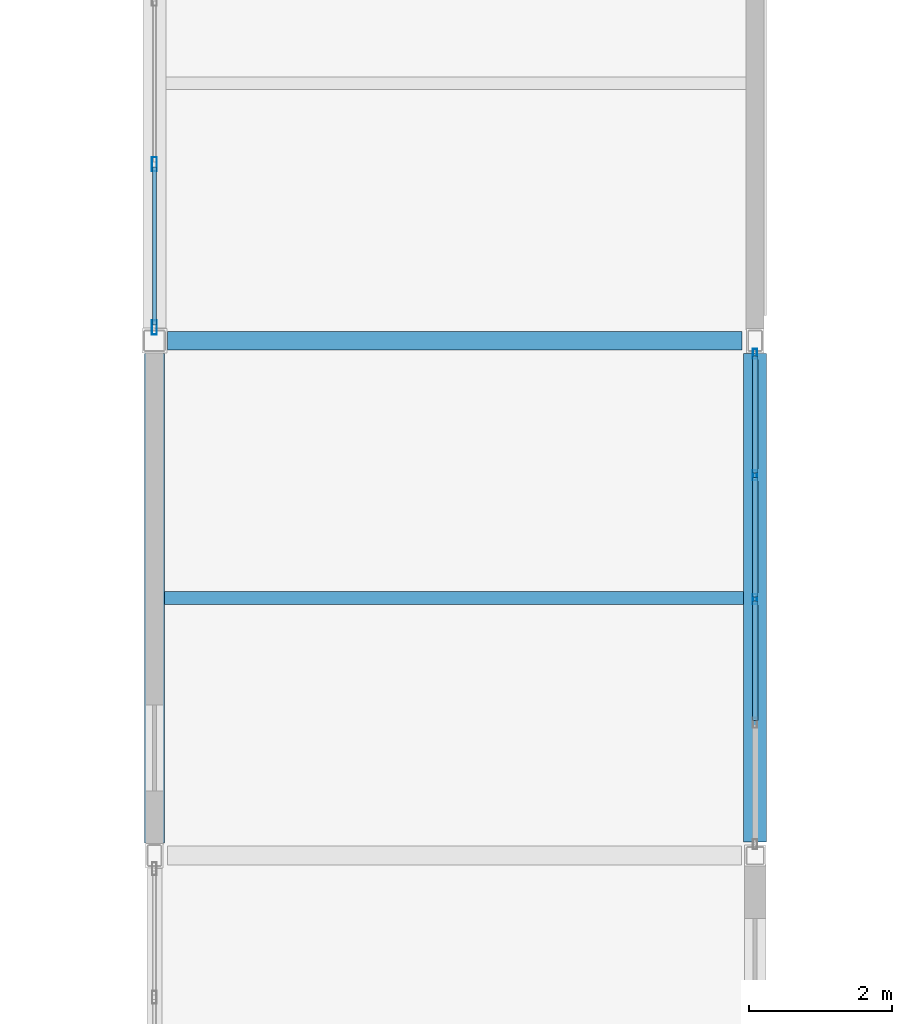
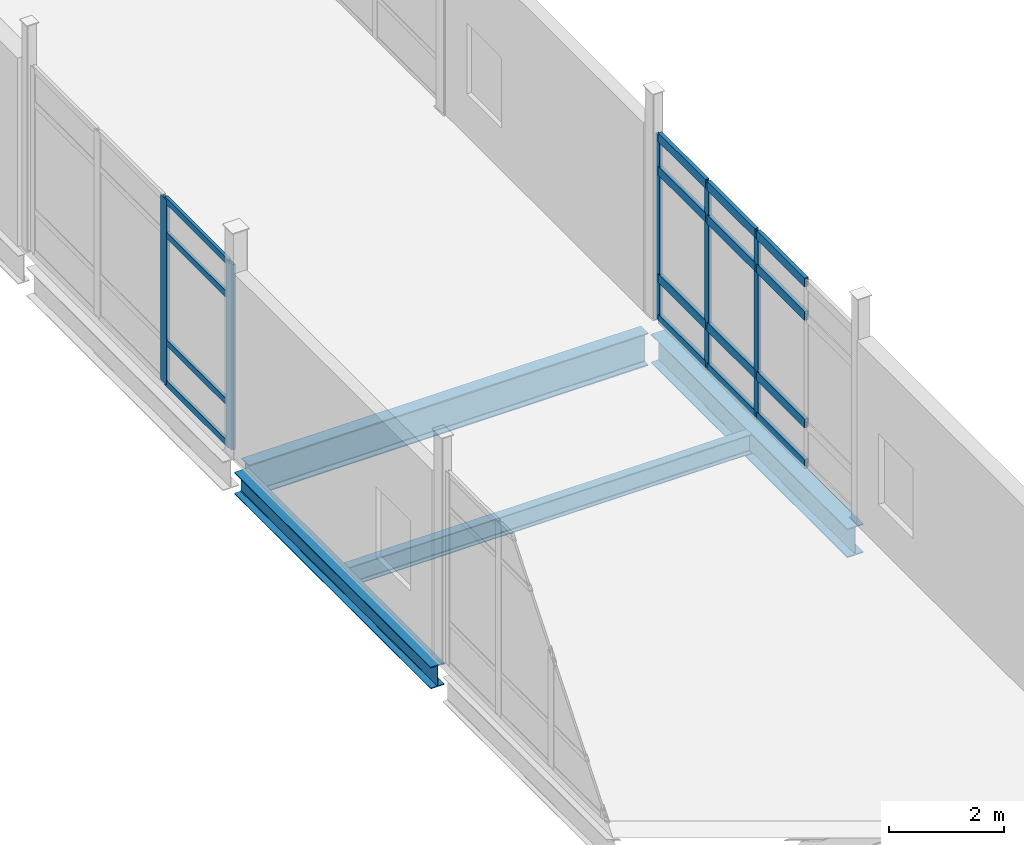
# One storey, part 53 of 153: 21 members, 4 beams, 2 elements without a shape of their own.
"""IFC4 building model written with IfcOpenShell, lengths in metres."""

from ifc_helpers import new_model, si_unit, direction, frame, origin, origin_2d, place, context, subcontext, project, spatial, hollow_rectangle, i_section, extrude, material, layer, layer_set, material_profile, profile_set, type_object, element, aggregate, save


model = new_model("IFC4")

# Units and contexts
model_context = context("Model", 3, precision=1e-05, world=origin(), true_north=direction((0.0, 1.0)))
body_context = subcontext(model_context, "Body", "Model", "MODEL_VIEW")
ifc_project = project(units=[si_unit("LENGTHUNIT", "METRE"), si_unit("AREAUNIT", "SQUARE_METRE"), si_unit("VOLUMEUNIT", "CUBIC_METRE"), si_unit("PLANEANGLEUNIT", "RADIAN"), si_unit("MASSUNIT", "GRAM", prefix="KILO")], contexts=[model_context])

# Site, building, storey
site_placement = place(None, origin())
site = spatial("IfcSite", under=ifc_project, at=site_placement, CompositionType="ELEMENT")
building_placement = place(site_placement, origin())
building = spatial("IfcBuilding", under=site, at=building_placement, Name="Calvrana Isthmian Art Gallery", CompositionType="ELEMENT")
storey_placement = place(building_placement, frame((0.0, 0.0, 10.199951171875)))
storey = spatial("IfcBuildingStorey", under=building, at=storey_placement, Name="L02", CompositionType="ELEMENT", Elevation=10.199951171875)

# Beams
ifc_material_1 = material(Name="Steel ASTM A992 Gr 50", Category="steel")
ifc_material_profile_1 = material_profile(ifc_material_1, i_section(OverallWidth=0.279052734375, OverallDepth=0.4619140625, WebThickness=0.0107421875, FlangeThickness=0.017333984375, FilletRadius=0.02001953125, at=origin_2d()), Name="W18X76")
ifc_profile_set_1 = profile_set([ifc_material_profile_1], Name="Steel ASTM A992 Gr 50")
beam_type_1 = type_object("IfcBeamType", Name="BM-G-W18X76", PredefinedType="BEAM", material=ifc_profile_set_1)
beam_1_placement = place(storey_placement, frame((55.199951171875, 69.778076171875, -0.495849609375), z_axis=(0.0, 1.0, 0.0), x_axis=(-1.0, 0.0, 0.0)))
element("IfcBeam", 1, at=beam_1_placement, inside=storey, type_object=beam_type_1, Name="Girder Y L02 08/J-K", PredefinedType="BEAM", context=body_context, shape_type="SweptSolid", body=[
    extrude(i_section(OverallWidth=0.279052734375, OverallDepth=0.4619140625, WebThickness=0.0107421875, FlangeThickness=0.017333984375, FilletRadius=0.02001953125, at=origin_2d()), origin(), (0.0, 0.0, 1.0), 6.84033203125),
])
ifc_material_profile_2 = material_profile(ifc_material_1, i_section(OverallWidth=0.324951171875, OverallDepth=0.612060546875, WebThickness=0.0126953125, FlangeThickness=0.01904296875, FilletRadius=0.02197265625, at=origin_2d()), Name="W24X104")
ifc_profile_set_2 = profile_set([ifc_material_profile_2], Name="Steel ASTM A992 Gr 50")
beam_type_2 = type_object("IfcBeamType", Name="BM-G-W24X104", PredefinedType="BEAM", material=ifc_profile_set_2)
beam_2_placement = place(storey_placement, frame((63.60009765625, 69.78662109375, -0.571044921875), z_axis=(0.0, 1.0, 0.0), x_axis=(-1.0, 0.0, 0.0)))
element("IfcBeam", 2, at=beam_2_placement, inside=storey, type_object=beam_type_2, Name="Girder Y L02 09/J-K", PredefinedType="BEAM", context=body_context, shape_type="SweptSolid", body=[
    extrude(i_section(OverallWidth=0.324951171875, OverallDepth=0.612060546875, WebThickness=0.0126953125, FlangeThickness=0.01904296875, FilletRadius=0.02197265625, at=origin_2d()), origin(), (0.0, 0.0, 1.0), 6.83544921875),
])
ifc_material_profile_3 = material_profile(ifc_material_1, i_section(OverallWidth=0.257080078125, OverallDepth=0.693115234375, WebThickness=0.014404296875, FlangeThickness=0.023681640625, FilletRadius=0.02392578125, at=origin_2d()), Name="W27X114")
ifc_profile_set_3 = profile_set([ifc_material_profile_3], Name="Steel ASTM A992 Gr 50")
beam_type_3 = type_object("IfcBeamType", Name="BM-G-W27X114", PredefinedType="BEAM", material=ifc_profile_set_3)
beam_3_placement = place(storey_placement, frame((55.385498046875, 76.800048828125, -0.611572265625), z_axis=(1.0, 0.0, 0.0), x_axis=(0.0, 1.0, 0.0)))
element("IfcBeam", 3, at=beam_3_placement, inside=storey, type_object=beam_type_3, Name="Girder X L02 08-09/K", PredefinedType="BEAM", context=body_context, shape_type="SweptSolid", body=[
    extrude(i_section(OverallWidth=0.257080078125, OverallDepth=0.693115234375, WebThickness=0.014404296875, FlangeThickness=0.023681640625, FilletRadius=0.02392578125, at=origin_2d()), origin(), (0.0, 0.0, 1.0), 8.030517578125),
])
ifc_material_profile_4 = material_profile(ifc_material_1, i_section(OverallWidth=0.179931640625, OverallDepth=0.4140625, WebThickness=0.009765625, FlangeThickness=0.01611328125, FilletRadius=0.01806640625, at=origin_2d()), Name="W16X50")
ifc_profile_set_4 = profile_set([ifc_material_profile_4], Name="Steel ASTM A992 Gr 50")
beam_type_4 = type_object("IfcBeamType", Name="BM-J-W16X50", PredefinedType="JOIST", material=ifc_profile_set_4)
beam_4_placement = place(storey_placement, frame((55.339599609375, 73.199951171875, -0.471923828125), z_axis=(1.0, 0.0, 0.0), x_axis=(0.0, 1.0, 0.0)))
element("IfcBeam", 4, at=beam_4_placement, inside=storey, type_object=beam_type_4, Name="Composite joist L02 bay 07-09", PredefinedType="JOIST", context=body_context, shape_type="SweptSolid", body=[
    extrude(i_section(OverallWidth=0.179931640625, OverallDepth=0.4140625, WebThickness=0.009765625, FlangeThickness=0.01611328125, FilletRadius=0.01806640625, at=origin_2d()), origin(), (0.0, 0.0, 1.0), 8.097900390625),
])

# Curtain wall, members
ifc_material_2 = material(Name="Anodized bronze aluminium 6063-T6", Category="aluminium")
ifc_layer = layer(ifc_material_2, 0.179931640625, Name="Anodized bronze aluminium 6063-T6")
ifc_layer_set = layer_set([ifc_layer], Name="Anodized bronze aluminium 6063-T6")
curtain_wall_type = type_object("IfcCurtainWallType", Name="CW-UNIT-069X39", PredefinedType="USERDEFINED", material=ifc_layer_set)
curtain_wall_1_placement = place(storey_placement, origin())
curtain_wall_1 = element("IfcCurtainWall", 5, at=curtain_wall_1_placement, inside=storey, type_object=curtain_wall_type, Name="Curtain wall CW-174", ObjectType="UNITISED CURTAIN WALL", PredefinedType="USERDEFINED")
ifc_material_profile_5 = material_profile(ifc_material_2, hollow_rectangle(XDim=0.06005859375, YDim=0.139892578125, WallThickness=0.00390625, at=origin_2d()), Name="CWM60X140")
ifc_profile_set_5 = profile_set([ifc_material_profile_5], Name="Anodized bronze aluminium 6063-T6")
member_type_1 = type_object("IfcMemberType", Name="CWM-CWM60X140", PredefinedType="MULLION", material=ifc_profile_set_5)
member_1_placement = place(storey_placement, frame((63.60009765625, 76.61767578125, 0.0), z_axis=(0.0, 0.0, 1.0), x_axis=(1.0, 0.0, 0.0)))
member_1 = element("IfcMember", 6, at=member_1_placement, type_object=member_type_1, Name="CW-174 mullion 1", PredefinedType="MULLION", context=body_context, shape_type="SweptSolid", body=[
    extrude(hollow_rectangle(XDim=0.06005859375, YDim=0.139892578125, WallThickness=0.00390625, at=origin_2d()), origin(), (0.0, 0.0, 1.0), 3.93310546875),
])
member_2_placement = place(storey_placement, frame((63.60009765625, 74.91748046875, 0.0), z_axis=(0.0, 0.0, 1.0), x_axis=(1.0, 0.0, 0.0)))
member_2 = element("IfcMember", 7, at=member_2_placement, type_object=member_type_1, Name="CW-174 mullion 2", PredefinedType="MULLION", context=body_context, shape_type="SweptSolid", body=[
    extrude(hollow_rectangle(XDim=0.06005859375, YDim=0.139892578125, WallThickness=0.00390625, at=origin_2d()), origin(), (0.0, 0.0, 1.0), 3.93310546875),
])
member_3_placement = place(storey_placement, frame((63.60009765625, 73.187255859375, 0.0), z_axis=(0.0, 0.0, 1.0), x_axis=(1.0, 0.0, 0.0)))
member_3 = element("IfcMember", 8, at=member_3_placement, type_object=member_type_1, Name="CW-174 mullion 3", PredefinedType="MULLION", context=body_context, shape_type="SweptSolid", body=[
    extrude(hollow_rectangle(XDim=0.06005859375, YDim=0.139892578125, WallThickness=0.00390625, at=origin_2d()), origin(), (0.0, 0.0, 1.0), 3.93310546875),
])

curtain_wall_2_placement = place(storey_placement, origin())
curtain_wall_2 = element("IfcCurtainWall", 9, at=curtain_wall_2_placement, inside=storey, type_object=curtain_wall_type, Name="Curtain wall CW-171", ObjectType="UNITISED CURTAIN WALL", PredefinedType="USERDEFINED")
ifc_material_profile_6 = material_profile(ifc_material_2, hollow_rectangle(XDim=0.070068359375, YDim=0.199951171875, WallThickness=0.0048828125, at=origin_2d()), Name="CWM70X200")
ifc_profile_set_6 = profile_set([ifc_material_profile_6], Name="Anodized bronze aluminium 6063-T6")
member_type_2 = type_object("IfcMemberType", Name="CWM-CWM70X200", PredefinedType="MULLION", material=ifc_profile_set_6)
member_4_placement = place(storey_placement, frame((55.199951171875, 76.9873046875, 0.0), z_axis=(0.0, 0.0, 1.0), x_axis=(-1.0, 0.0, 0.0)))
member_4 = element("IfcMember", 10, at=member_4_placement, type_object=member_type_2, Name="CW-171 mullion 1", PredefinedType="MULLION", context=body_context, shape_type="SweptSolid", body=[
    extrude(hollow_rectangle(XDim=0.070068359375, YDim=0.199951171875, WallThickness=0.0048828125, at=origin_2d()), origin(), (0.0, 0.0, 1.0), 3.93310546875),
])
member_5_placement = place(storey_placement, frame((55.199951171875, 79.267822265625, 0.0), z_axis=(0.0, 0.0, 1.0), x_axis=(-1.0, 0.0, 0.0)))
member_5 = element("IfcMember", 11, at=member_5_placement, type_object=member_type_2, Name="CW-171 mullion 2", PredefinedType="MULLION", context=body_context, shape_type="SweptSolid", body=[
    extrude(hollow_rectangle(XDim=0.070068359375, YDim=0.199951171875, WallThickness=0.0048828125, at=origin_2d()), origin(), (0.0, 0.0, 1.0), 3.93310546875),
])
ifc_material_profile_7 = material_profile(ifc_material_2, hollow_rectangle(XDim=0.06005859375, YDim=0.1298828125, WallThickness=0.00390625, at=origin_2d()), Name="CWT60X130")
ifc_profile_set_7 = profile_set([ifc_material_profile_7], Name="Anodized bronze aluminium 6063-T6")
member_type_3 = type_object("IfcMemberType", Name="CWT-CWT60X130", PredefinedType="USERDEFINED", material=ifc_profile_set_7)
member_6_placement = place(storey_placement, frame((55.199951171875, 77.0224609375, 0.030029296875), z_axis=(0.0, 1.0, 0.0), x_axis=(-1.0, 0.0, 0.0)))
member_6 = element("IfcMember", 12, at=member_6_placement, type_object=member_type_3, Name="CW-171 transom 1.1", ObjectType="TRANSOM", PredefinedType="USERDEFINED", context=body_context, shape_type="SweptSolid", body=[
    extrude(hollow_rectangle(XDim=0.06005859375, YDim=0.1298828125, WallThickness=0.00390625, at=origin_2d()), origin(), (0.0, 0.0, 1.0), 2.210205078125),
])
member_7_placement = place(storey_placement, frame((55.199951171875, 77.0224609375, 0.900146484375), z_axis=(0.0, 1.0, 0.0), x_axis=(-1.0, 0.0, 0.0)))
member_7 = element("IfcMember", 13, at=member_7_placement, type_object=member_type_3, Name="CW-171 transom 1.2", ObjectType="TRANSOM", PredefinedType="USERDEFINED", context=body_context, shape_type="SweptSolid", body=[
    extrude(hollow_rectangle(XDim=0.06005859375, YDim=0.1298828125, WallThickness=0.00390625, at=origin_2d()), origin(), (0.0, 0.0, 1.0), 2.210205078125),
])
member_8_placement = place(storey_placement, frame((55.199951171875, 77.0224609375, 3.18310546875), z_axis=(0.0, 1.0, 0.0), x_axis=(-1.0, 0.0, 0.0)))
member_8 = element("IfcMember", 14, at=member_8_placement, type_object=member_type_3, Name="CW-171 transom 1.3", ObjectType="TRANSOM", PredefinedType="USERDEFINED", context=body_context, shape_type="SweptSolid", body=[
    extrude(hollow_rectangle(XDim=0.06005859375, YDim=0.1298828125, WallThickness=0.00390625, at=origin_2d()), origin(), (0.0, 0.0, 1.0), 2.210205078125),
])
member_9_placement = place(storey_placement, frame((55.199951171875, 77.0224609375, 3.903076171875), z_axis=(0.0, 1.0, 0.0), x_axis=(-1.0, 0.0, 0.0)))
member_9 = element("IfcMember", 15, at=member_9_placement, type_object=member_type_3, Name="CW-171 transom 1.4", ObjectType="TRANSOM", PredefinedType="USERDEFINED", context=body_context, shape_type="SweptSolid", body=[
    extrude(hollow_rectangle(XDim=0.06005859375, YDim=0.1298828125, WallThickness=0.00390625, at=origin_2d()), origin(), (0.0, 0.0, 1.0), 2.210205078125),
])
aggregate(curtain_wall_2, [member_4, member_5, member_6, member_7, member_8, member_9])

# Member
ifc_material_profile_8 = material_profile(ifc_material_2, hollow_rectangle(XDim=0.074951171875, YDim=0.18994140625, WallThickness=0.00439453125, at=origin_2d()), Name="CWT75X190")
ifc_profile_set_8 = profile_set([ifc_material_profile_8], Name="Anodized bronze aluminium 6063-T6")
member_type_4 = type_object("IfcMemberType", Name="CWT-CWT75X190", PredefinedType="USERDEFINED", material=ifc_profile_set_8)
member_10_placement = place(storey_placement, frame((63.60009765625, 76.587646484375, 0.03759765625), z_axis=(0.0, -1.0, 0.0), x_axis=(1.0, 0.0, 0.0)))
member_10 = element("IfcMember", 16, at=member_10_placement, type_object=member_type_4, Name="CW-174 transom 1.1", ObjectType="TRANSOM", PredefinedType="USERDEFINED", context=body_context, shape_type="SweptSolid", body=[
    extrude(hollow_rectangle(XDim=0.074951171875, YDim=0.18994140625, WallThickness=0.00439453125, at=origin_2d()), origin(), (0.0, 0.0, 1.0), 1.64013671875),
])

member_11_placement = place(storey_placement, frame((63.60009765625, 76.587646484375, 0.900146484375), z_axis=(0.0, -1.0, 0.0), x_axis=(1.0, 0.0, 0.0)))
member_11 = element("IfcMember", 17, at=member_11_placement, type_object=member_type_4, Name="CW-174 transom 1.2", ObjectType="TRANSOM", PredefinedType="USERDEFINED", context=body_context, shape_type="SweptSolid", body=[
    extrude(hollow_rectangle(XDim=0.074951171875, YDim=0.18994140625, WallThickness=0.00439453125, at=origin_2d()), origin(), (0.0, 0.0, 1.0), 1.64013671875),
])

member_12_placement = place(storey_placement, frame((63.60009765625, 76.587646484375, 3.18310546875), z_axis=(0.0, -1.0, 0.0), x_axis=(1.0, 0.0, 0.0)))
member_12 = element("IfcMember", 18, at=member_12_placement, type_object=member_type_4, Name="CW-174 transom 1.3", ObjectType="TRANSOM", PredefinedType="USERDEFINED", context=body_context, shape_type="SweptSolid", body=[
    extrude(hollow_rectangle(XDim=0.074951171875, YDim=0.18994140625, WallThickness=0.00439453125, at=origin_2d()), origin(), (0.0, 0.0, 1.0), 1.64013671875),
])

member_13_placement = place(storey_placement, frame((63.60009765625, 76.587646484375, 3.8955078125), z_axis=(0.0, -1.0, 0.0), x_axis=(1.0, 0.0, 0.0)))
member_13 = element("IfcMember", 19, at=member_13_placement, type_object=member_type_4, Name="CW-174 transom 1.4", ObjectType="TRANSOM", PredefinedType="USERDEFINED", context=body_context, shape_type="SweptSolid", body=[
    extrude(hollow_rectangle(XDim=0.074951171875, YDim=0.18994140625, WallThickness=0.00439453125, at=origin_2d()), origin(), (0.0, 0.0, 1.0), 1.64013671875),
])

member_14_placement = place(storey_placement, frame((63.60009765625, 74.887451171875, 0.03759765625), z_axis=(0.0, -1.0, 0.0), x_axis=(1.0, 0.0, 0.0)))
member_14 = element("IfcMember", 20, at=member_14_placement, type_object=member_type_4, Name="CW-174 transom 2.1", ObjectType="TRANSOM", PredefinedType="USERDEFINED", context=body_context, shape_type="SweptSolid", body=[
    extrude(hollow_rectangle(XDim=0.074951171875, YDim=0.18994140625, WallThickness=0.00439453125, at=origin_2d()), origin(), (0.0, 0.0, 1.0), 1.670166015625),
])

member_15_placement = place(storey_placement, frame((63.60009765625, 74.887451171875, 0.900146484375), z_axis=(0.0, -1.0, 0.0), x_axis=(1.0, 0.0, 0.0)))
member_15 = element("IfcMember", 21, at=member_15_placement, type_object=member_type_4, Name="CW-174 transom 2.2", ObjectType="TRANSOM", PredefinedType="USERDEFINED", context=body_context, shape_type="SweptSolid", body=[
    extrude(hollow_rectangle(XDim=0.074951171875, YDim=0.18994140625, WallThickness=0.00439453125, at=origin_2d()), origin(), (0.0, 0.0, 1.0), 1.670166015625),
])

member_16_placement = place(storey_placement, frame((63.60009765625, 74.887451171875, 3.18310546875), z_axis=(0.0, -1.0, 0.0), x_axis=(1.0, 0.0, 0.0)))
member_16 = element("IfcMember", 22, at=member_16_placement, type_object=member_type_4, Name="CW-174 transom 2.3", ObjectType="TRANSOM", PredefinedType="USERDEFINED", context=body_context, shape_type="SweptSolid", body=[
    extrude(hollow_rectangle(XDim=0.074951171875, YDim=0.18994140625, WallThickness=0.00439453125, at=origin_2d()), origin(), (0.0, 0.0, 1.0), 1.670166015625),
])

member_17_placement = place(storey_placement, frame((63.60009765625, 74.887451171875, 3.8955078125), z_axis=(0.0, -1.0, 0.0), x_axis=(1.0, 0.0, 0.0)))
member_17 = element("IfcMember", 23, at=member_17_placement, type_object=member_type_4, Name="CW-174 transom 2.4", ObjectType="TRANSOM", PredefinedType="USERDEFINED", context=body_context, shape_type="SweptSolid", body=[
    extrude(hollow_rectangle(XDim=0.074951171875, YDim=0.18994140625, WallThickness=0.00439453125, at=origin_2d()), origin(), (0.0, 0.0, 1.0), 1.670166015625),
])

member_18_placement = place(storey_placement, frame((63.60009765625, 73.1572265625, 0.03759765625), z_axis=(0.0, -1.0, 0.0), x_axis=(1.0, 0.0, 0.0)))
member_18 = element("IfcMember", 24, at=member_18_placement, type_object=member_type_4, Name="CW-174 transom 3.1", ObjectType="TRANSOM", PredefinedType="USERDEFINED", context=body_context, shape_type="SweptSolid", body=[
    extrude(hollow_rectangle(XDim=0.074951171875, YDim=0.18994140625, WallThickness=0.00439453125, at=origin_2d()), origin(), (0.0, 0.0, 1.0), 1.670166015625),
])

member_19_placement = place(storey_placement, frame((63.60009765625, 73.1572265625, 0.900146484375), z_axis=(0.0, -1.0, 0.0), x_axis=(1.0, 0.0, 0.0)))
member_19 = element("IfcMember", 25, at=member_19_placement, type_object=member_type_4, Name="CW-174 transom 3.2", ObjectType="TRANSOM", PredefinedType="USERDEFINED", context=body_context, shape_type="SweptSolid", body=[
    extrude(hollow_rectangle(XDim=0.074951171875, YDim=0.18994140625, WallThickness=0.00439453125, at=origin_2d()), origin(), (0.0, 0.0, 1.0), 1.670166015625),
])

member_20_placement = place(storey_placement, frame((63.60009765625, 73.1572265625, 3.18310546875), z_axis=(0.0, -1.0, 0.0), x_axis=(1.0, 0.0, 0.0)))
member_20 = element("IfcMember", 26, at=member_20_placement, type_object=member_type_4, Name="CW-174 transom 3.3", ObjectType="TRANSOM", PredefinedType="USERDEFINED", context=body_context, shape_type="SweptSolid", body=[
    extrude(hollow_rectangle(XDim=0.074951171875, YDim=0.18994140625, WallThickness=0.00439453125, at=origin_2d()), origin(), (0.0, 0.0, 1.0), 1.670166015625),
])

member_21_placement = place(storey_placement, frame((63.60009765625, 73.1572265625, 3.8955078125), z_axis=(0.0, -1.0, 0.0), x_axis=(1.0, 0.0, 0.0)))
member_21 = element("IfcMember", 27, at=member_21_placement, type_object=member_type_4, Name="CW-174 transom 3.4", ObjectType="TRANSOM", PredefinedType="USERDEFINED", context=body_context, shape_type="SweptSolid", body=[
    extrude(hollow_rectangle(XDim=0.074951171875, YDim=0.18994140625, WallThickness=0.00439453125, at=origin_2d()), origin(), (0.0, 0.0, 1.0), 1.670166015625),
])

aggregate(curtain_wall_1, [member_1, member_2, member_3, member_10, member_11, member_12, member_13, member_14, member_15, member_16, member_17, member_18, member_19, member_20, member_21])

save(model, "model.ifc")
